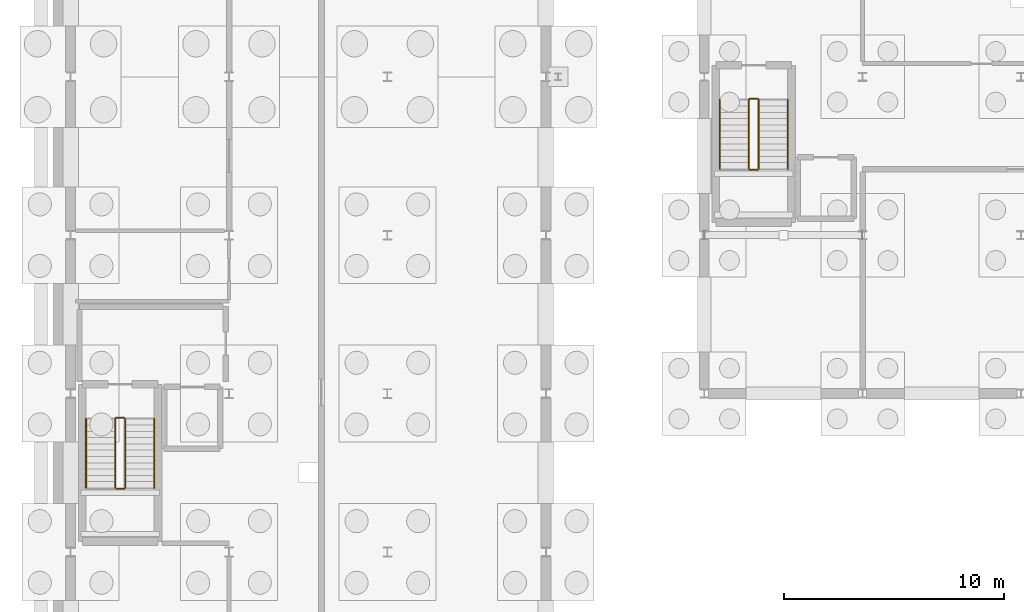
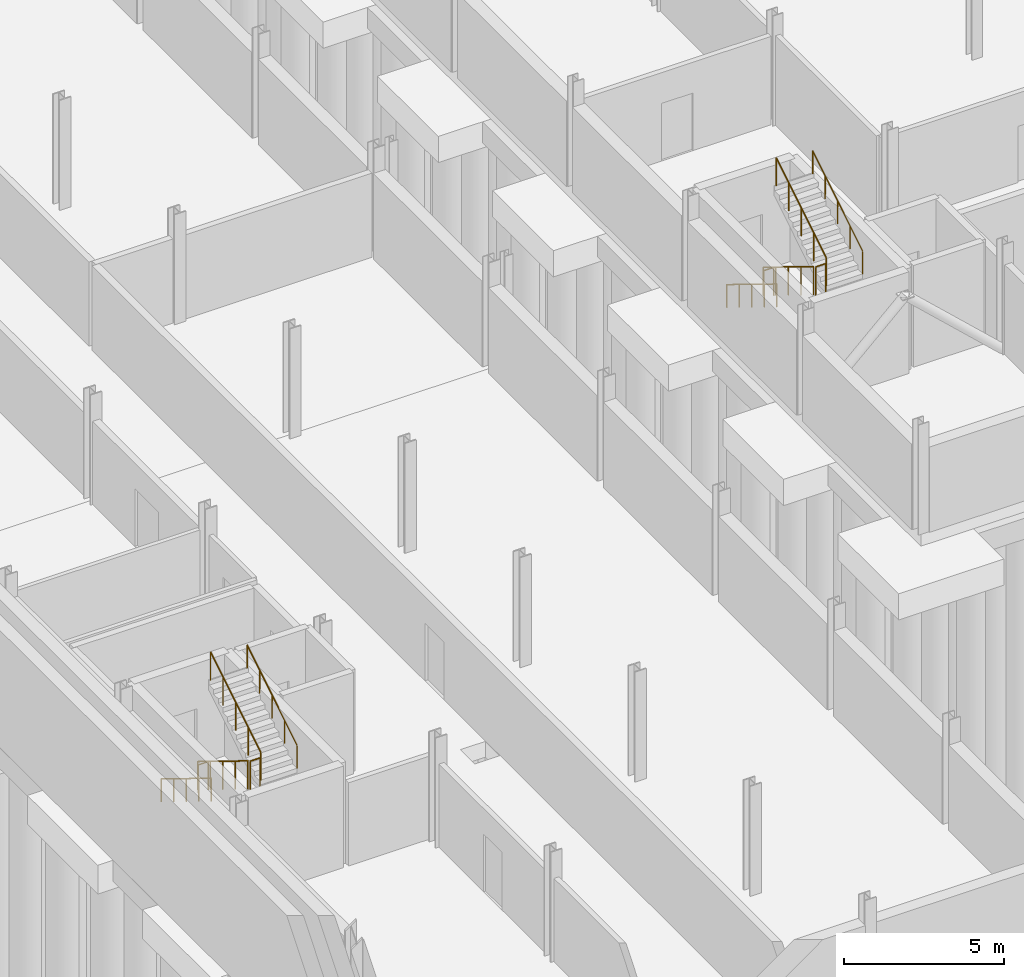
# One storey, part 44 of 50: 12 railings.
"""IFC4 building model written with IfcOpenShell, lengths in metres."""

import ifcopenshell
import ifcopenshell.guid

model = None  # the IFC model being written
_history = None  # IfcOwnerHistory: only IFC2X3 demands one
_inside = {}  # id of a spatial element -> (the spatial element, [elements in it])
_under = {}  # id of a project, library or spatial element -> (it, [spatial elements below it])
_declared = {}  # id of a project -> (the project, [libraries it declares])
_typed = {}  # id of a type object -> (the type object, [elements of that type])
_made_of = {}  # id of a material, layer set ... -> (it, [elements and type objects made of it])


def new_model(schema):
    """Start an empty IFC model of exactly this schema.

    Asked for "IFC4X3", IfcOpenShell would pick the latest addendum, in which some entities
    have other attributes; the version numbers below select the first issue.
    IFC2X3 requires an IfcOwnerHistory on every rooted entity: one is made here for all.
    """
    global model, _history
    if schema == "IFC4X3":
        model = ifcopenshell.file(schema_version=(4, 3, 0, 0))
    else:
        model = ifcopenshell.file(schema=schema)
    _inside.clear()
    _under.clear()
    _declared.clear()
    _typed.clear()
    _made_of.clear()
    _history = None
    if model.schema == "IFC2X3":
        org = make("IfcOrganization", Name="unknown")
        user = make(
            "IfcPersonAndOrganization",
            ThePerson=make("IfcPerson", FamilyName="unknown"),
            TheOrganization=org,
        )
        app = make(
            "IfcApplication",
            ApplicationDeveloper=org,
            Version="unknown",
            ApplicationFullName="unknown",
            ApplicationIdentifier="unknown",
        )
        _history = make(
            "IfcOwnerHistory",
            OwningUser=user,
            OwningApplication=app,
            ChangeAction="ADDED",
            CreationDate=0,
        )
    return model


def make(cls, **values):
    """One entity of the class cls with the attributes given. An attribute that is None is left unset."""
    return model.create_entity(
        cls, **{name: value for name, value in values.items() if value is not None}
    )


def rooted(cls, **values):
    """An entity with a GlobalId (a new one), such as an element, a storey or a relation."""
    return make(cls, GlobalId=ifcopenshell.guid.new(), OwnerHistory=_history, **values)


def si_unit(unit_type, name, prefix=None):
    """IfcSIUnit, for example si_unit("LENGTHUNIT", "METRE", prefix="MILLI")."""
    return make("IfcSIUnit", UnitType=unit_type, Prefix=prefix, Name=name)


def assignment(units):
    """IfcUnitAssignment: the units of a project."""
    return None if units is None else make("IfcUnitAssignment", Units=units)


def point(xyz):
    """IfcCartesianPoint."""
    return None if xyz is None else make("IfcCartesianPoint", Coordinates=xyz)


def direction(xyz):
    """IfcDirection."""
    return None if xyz is None else make("IfcDirection", DirectionRatios=xyz)


def frame(location, z_axis=None, x_axis=None):
    """IfcAxis2Placement3D, a coordinate frame: its origin and axes. An axis left out is left unset."""
    return make(
        "IfcAxis2Placement3D",
        Location=point(location),
        Axis=direction(z_axis),
        RefDirection=direction(x_axis),
    )


def frame_2d(location, x_axis=None):
    """IfcAxis2Placement2D, a coordinate frame in the plane: its origin and x axis."""
    return make(
        "IfcAxis2Placement2D", Location=point(location), RefDirection=direction(x_axis)
    )


def origin():
    """The frame at (0, 0, 0) with its axes left unset."""
    return frame((0.0, 0.0, 0.0))


def origin_2d():
    """The frame at (0, 0) in the plane with its x axis left unset."""
    return frame_2d((0.0, 0.0))


def place(relative_to, where):
    """IfcLocalPlacement: puts the frame where relative to a parent placement (None: the world)."""
    return make(
        "IfcLocalPlacement", PlacementRelTo=relative_to, RelativePlacement=where
    )


def context(
    kind, dimensions, precision=None, world=None, true_north=None, identifier=None
):
    """IfcGeometricRepresentationContext, for example the 3D "Model" context."""
    return make(
        "IfcGeometricRepresentationContext",
        ContextIdentifier=identifier,
        ContextType=kind,
        CoordinateSpaceDimension=dimensions,
        Precision=precision,
        WorldCoordinateSystem=world,
        TrueNorth=true_north,
    )


def subcontext(parent, identifier, kind, view, scale=None):
    """IfcGeometricRepresentationSubContext, for example "Body" below "Model"."""
    return make(
        "IfcGeometricRepresentationSubContext",
        ContextIdentifier=identifier,
        ContextType=kind,
        ParentContext=parent,
        TargetScale=scale,
        TargetView=view,
    )


def project(units=None, contexts=None):
    """IfcProject with its units and contexts."""
    return rooted(
        "IfcProject",
        Name="project",
        RepresentationContexts=contexts,
        UnitsInContext=assignment(units),
    )


def spatial(cls, under=None, at=None, **own):
    """A site, building, storey or space (cls), placed at a placement, below another one or the project."""
    s = rooted(cls, ObjectPlacement=at, **own)
    if under is not None:
        _under.setdefault(under.id(), (under, []))[1].append(s)
    return s


def profile(cls, at=None, kind="AREA", **sizes):
    """A parametric profile (cls). Its sizes go by their IFC names, for example OverallWidth=200.0."""
    return make(cls, ProfileType=kind, Position=at, **sizes)


def circle(**sizes):
    """IfcCircleProfileDef."""
    return profile("IfcCircleProfileDef", **sizes)


def extrude(swept, where, along, depth):
    """IfcExtrudedAreaSolid: the profile swept, set in the frame where, extruded along a direction by depth."""
    return make(
        "IfcExtrudedAreaSolid",
        SweptArea=swept,
        Position=where,
        ExtrudedDirection=direction(along),
        Depth=depth,
    )


def shape(context_of_items, identifier, shape_type, items):
    """IfcShapeRepresentation: the items that make up one representation, for example the "Body"."""
    return make(
        "IfcShapeRepresentation",
        ContextOfItems=context_of_items,
        RepresentationIdentifier=identifier,
        RepresentationType=shape_type,
        Items=items,
    )


def material(Name=None, Category=None):
    """IfcMaterial."""
    return make("IfcMaterial", Name=Name, Category=Category)


def layer(
    of_material, thickness, ventilated=None, Name=None, Category=None, Priority=None
):
    """IfcMaterialLayer: one layer of a wall or slab, of a material (None: an air gap)."""
    return make(
        "IfcMaterialLayer",
        Material=of_material,
        LayerThickness=thickness,
        IsVentilated=ventilated,
        Name=Name,
        Category=Category,
        Priority=Priority,
    )


def layer_set(layers, Name=None):
    """IfcMaterialLayerSet."""
    return make("IfcMaterialLayerSet", MaterialLayers=layers, LayerSetName=Name)


def made_of(thing, what):
    """Note that an element or type object is made of a material, layer set ...; save() writes the relation."""
    if what is not None:
        _made_of.setdefault(what.id(), (what, []))[1].append(thing)
    return thing


def type_object(cls, material=None, **own):
    """A type object (cls), such as IfcWallType, which elements share."""
    return made_of(rooted(cls, **own), material)


def element(
    cls,
    number,
    at=None,
    inside=None,
    cuts=None,
    type_object=None,
    material=None,
    context=None,
    identifier="Body",
    shape_type=None,
    held_by="IfcProductDefinitionShape",
    body=None,
    shapes=None,
    **own,
):
    """One element of the class cls, such as IfcWall. Its Tag is "e" and its number.

    at: its placement. inside: the storey or other place that contains it. cuts: it is an
    opening in that element (IfcRelVoidsElement). A single representation is given by context,
    identifier, shape_type and body (its items); several are given by shapes. held_by: the class
    of the entity that holds the representations. save() writes the other relations.
    """
    e = rooted(cls, Tag="e%d" % number, ObjectPlacement=at, **own)
    if body is not None:
        shapes = [shape(context, identifier, shape_type, body)]
    if shapes is not None:
        e.Representation = make(held_by, Representations=shapes)
    if inside is not None:
        _inside.setdefault(inside.id(), (inside, []))[1].append(e)
    if cuts is not None:
        rooted(
            "IfcRelVoidsElement", RelatingBuildingElement=cuts, RelatedOpeningElement=e
        )
    if type_object is not None:
        _typed.setdefault(type_object.id(), (type_object, []))[1].append(e)
    return made_of(e, material)


def aggregate(whole, parts):
    """IfcRelAggregates: a whole, such as a stair, and the parts it consists of."""
    return rooted("IfcRelAggregates", RelatingObject=whole, RelatedObjects=parts)


def save(model, path):
    """Write the relations noted so far, then the file.

    IfcRelAggregates (storeys below a building ...), IfcRelContainedInSpatialStructure (elements
    in a storey), IfcRelDefinesByType, IfcRelAssociatesMaterial and IfcRelDeclares: one each for
    every whole, place, type object, material and project.
    """
    for whole, parts in _under.values():
        aggregate(whole, parts)
    for where, things in _inside.values():
        rooted(
            "IfcRelContainedInSpatialStructure",
            RelatedElements=things,
            RelatingStructure=where,
        )
    for kind, things in _typed.values():
        rooted("IfcRelDefinesByType", RelatedObjects=things, RelatingType=kind)
    for what, things in _made_of.values():
        rooted("IfcRelAssociatesMaterial", RelatedObjects=things, RelatingMaterial=what)
    for by, libraries in _declared.values():
        rooted("IfcRelDeclares", RelatingContext=by, RelatedDefinitions=libraries)
    model.write(path)


model = new_model("IFC4")

# Units and contexts
model_context = context("Model", 3, precision=1e-05, world=origin(), true_north=direction((0.0, 1.0)))
body_context = subcontext(model_context, "Body", "Model", "MODEL_VIEW")
ifc_project = project(units=[si_unit("LENGTHUNIT", "METRE"), si_unit("AREAUNIT", "SQUARE_METRE"), si_unit("VOLUMEUNIT", "CUBIC_METRE"), si_unit("PLANEANGLEUNIT", "RADIAN"), si_unit("MASSUNIT", "GRAM", prefix="KILO")], contexts=[model_context])

# Site, building, storey
site_placement = place(None, origin())
site = spatial("IfcSite", under=ifc_project, at=site_placement, CompositionType="ELEMENT")
building_placement = place(site_placement, origin())
building = spatial("IfcBuilding", under=site, at=building_placement, Name="Narikvali Park Central Library", CompositionType="ELEMENT")
storey_placement = place(building_placement, frame((0.0, 0.0, -4.199951171875)))
storey = spatial("IfcBuildingStorey", under=building, at=storey_placement, Name="B1", CompositionType="ELEMENT", Elevation=-4.199951171875)

# Railings
ifc_material_1 = material(Name="Brushed Stainless Steel S355", Category="steel")
ifc_layer_1 = layer(ifc_material_1, 0.044921875, Name="Brushed Stainless Steel S355")
ifc_layer_set_1 = layer_set([ifc_layer_1], Name="Brushed Stainless Steel S355")
railing_type_1 = type_object("IfcRailingType", Name="Stair Tubular Steel Handrail 900", PredefinedType="HANDRAIL", material=ifc_layer_set_1)
railing_1_placement = place(storey_placement, frame((29.5, 63.75, 0.175048828125)))
element("IfcRailing", 1, at=railing_1_placement, inside=storey, type_object=railing_type_1, Name="B1 ST-07 stair handrail 1", PredefinedType="HANDRAIL", context=body_context, shape_type="SweptSolid", body=[
    extrude(circle(Radius=0.02392578125, at=origin_2d()), frame((0.0, 0.0, 0.8759765625), z_axis=(0.0, -0.852195625947, 0.523223293744), x_axis=(1.0, 0.0, 0.0)), (0.0, 0.0, 1.0), 3.6787109375),
    extrude(circle(Radius=0.02099609375, at=origin_2d()), origin(), (0.0, 0.0, 1.0), 0.851806640625),
    extrude(circle(Radius=0.02099609375, at=origin_2d()), frame((0.0, -0.78369140625, 0.481201171875)), (0.0, 0.0, 1.0), 0.851806640625),
    extrude(circle(Radius=0.02099609375, at=origin_2d()), frame((0.0, -1.5673828125, 0.96240234375)), (0.0, 0.0, 1.0), 0.851806640625),
    extrude(circle(Radius=0.02099609375, at=origin_2d()), frame((0.0, -2.351318359375, 1.443603515625)), (0.0, 0.0, 1.0), 0.851806640625),
    extrude(circle(Radius=0.02099609375, at=origin_2d()), frame((0.0, -3.135009765625, 1.9248046875)), (0.0, 0.0, 1.0), 0.851806640625),
])
railing_2_placement = place(storey_placement, frame((32.60009765625, 60.614990234375, 2.27490234375)))
element("IfcRailing", 2, at=railing_2_placement, inside=storey, type_object=railing_type_1, Name="B1 ST-07 stair handrail 2", PredefinedType="HANDRAIL", context=body_context, shape_type="SweptSolid", body=[
    extrude(circle(Radius=0.02392578125, at=origin_2d()), frame((0.0, 0.0, 0.8759765625), z_axis=(0.0, 0.852166034122, 0.523271488128), x_axis=(-1.0, 0.0, 0.0)), (0.0, 0.0, 1.0), 3.678955078125),
    extrude(circle(Radius=0.02099609375, at=origin_2d()), origin(), (0.0, 0.0, 1.0), 0.851806640625),
    extrude(circle(Radius=0.02099609375, at=origin_2d()), frame((0.0, 0.78369140625, 0.481201171875)), (0.0, 0.0, 1.0), 0.851806640625),
    extrude(circle(Radius=0.02099609375, at=origin_2d()), frame((0.0, 1.5673828125, 0.96240234375)), (0.0, 0.0, 1.0), 0.851806640625),
    extrude(circle(Radius=0.02099609375, at=origin_2d()), frame((0.0, 2.351318359375, 1.44384765625)), (0.0, 0.0, 1.0), 0.851806640625),
    extrude(circle(Radius=0.02099609375, at=origin_2d()), frame((0.0, 3.135009765625, 1.925048828125)), (0.0, 0.0, 1.0), 0.851806640625),
])
railing_3_placement = place(storey_placement, frame((0.699951171875, 49.25, 0.175048828125)))
element("IfcRailing", 3, at=railing_3_placement, inside=storey, type_object=railing_type_1, Name="B1 ST-09 stair handrail 1", PredefinedType="HANDRAIL", context=body_context, shape_type="SweptSolid", body=[
    extrude(circle(Radius=0.02392578125, at=origin_2d()), frame((0.0, 0.0, 0.8759765625), z_axis=(0.0, -0.852195625947, 0.523223293744), x_axis=(1.0, 0.0, 0.0)), (0.0, 0.0, 1.0), 3.6787109375),
    extrude(circle(Radius=0.02099609375, at=origin_2d()), origin(), (0.0, 0.0, 1.0), 0.851806640625),
    extrude(circle(Radius=0.02099609375, at=origin_2d()), frame((0.0, -0.78369140625, 0.481201171875)), (0.0, 0.0, 1.0), 0.851806640625),
    extrude(circle(Radius=0.02099609375, at=origin_2d()), frame((0.0, -1.5673828125, 0.96240234375)), (0.0, 0.0, 1.0), 0.851806640625),
    extrude(circle(Radius=0.02099609375, at=origin_2d()), frame((0.0, -2.351318359375, 1.443603515625)), (0.0, 0.0, 1.0), 0.851806640625),
    extrude(circle(Radius=0.02099609375, at=origin_2d()), frame((0.0, -3.135009765625, 1.9248046875)), (0.0, 0.0, 1.0), 0.851806640625),
])
railing_4_placement = place(storey_placement, frame((3.800048828125, 46.114990234375, 2.27490234375)))
element("IfcRailing", 4, at=railing_4_placement, inside=storey, type_object=railing_type_1, Name="B1 ST-09 stair handrail 2", PredefinedType="HANDRAIL", context=body_context, shape_type="SweptSolid", body=[
    extrude(circle(Radius=0.02392578125, at=origin_2d()), frame((0.0, 0.0, 0.8759765625), z_axis=(0.0, 0.852166034122, 0.523271488128), x_axis=(-1.0, 0.0, 0.0)), (0.0, 0.0, 1.0), 3.678955078125),
    extrude(circle(Radius=0.02099609375, at=origin_2d()), origin(), (0.0, 0.0, 1.0), 0.851806640625),
    extrude(circle(Radius=0.02099609375, at=origin_2d()), frame((0.0, 0.78369140625, 0.481201171875)), (0.0, 0.0, 1.0), 0.851806640625),
    extrude(circle(Radius=0.02099609375, at=origin_2d()), frame((0.0, 1.5673828125, 0.96240234375)), (0.0, 0.0, 1.0), 0.851806640625),
    extrude(circle(Radius=0.02099609375, at=origin_2d()), frame((0.0, 2.351318359375, 1.44384765625)), (0.0, 0.0, 1.0), 0.851806640625),
    extrude(circle(Radius=0.02099609375, at=origin_2d()), frame((0.0, 3.135009765625, 1.925048828125)), (0.0, 0.0, 1.0), 0.851806640625),
])
ifc_material_2 = material(Name="Powder-Coated Steel S275", Category="steel")
ifc_layer_2 = layer(ifc_material_2, 0.050048828125, Name="Powder-Coated Steel S275")
ifc_layer_set_2 = layer_set([ifc_layer_2], Name="Powder-Coated Steel S275")
railing_type_2 = type_object("IfcRailingType", Name="Stair Well Steel Guardrail 1100", PredefinedType="GUARDRAIL", material=ifc_layer_set_2)
railing_5_placement = place(storey_placement, frame((30.820068359375, 63.75, 0.175048828125)))
element("IfcRailing", 5, at=railing_5_placement, inside=storey, type_object=railing_type_2, Name="B1 ST-07 stair guard 1", PredefinedType="GUARDRAIL", context=body_context, shape_type="SweptSolid", body=[
    extrude(circle(Radius=0.02392578125, at=origin_2d()), frame((0.0, 0.0, 1.076171875), z_axis=(0.0, -0.852195625947, 0.523223293744), x_axis=(1.0, 0.0, 0.0)), (0.0, 0.0, 1.0), 3.6787109375),
    extrude(circle(Radius=0.02099609375, at=origin_2d()), origin(), (0.0, 0.0, 1.0), 1.052001953125),
    extrude(circle(Radius=0.02099609375, at=origin_2d()), frame((0.0, -0.78369140625, 0.481201171875)), (0.0, 0.0, 1.0), 1.052001953125),
    extrude(circle(Radius=0.02099609375, at=origin_2d()), frame((0.0, -1.5673828125, 0.96240234375)), (0.0, 0.0, 1.0), 1.052001953125),
    extrude(circle(Radius=0.02099609375, at=origin_2d()), frame((0.0, -2.351318359375, 1.443603515625)), (0.0, 0.0, 1.0), 1.052001953125),
    extrude(circle(Radius=0.02099609375, at=origin_2d()), frame((0.0, -3.135009765625, 1.9248046875)), (0.0, 0.0, 1.0), 1.052001953125),
])
railing_6_placement = place(storey_placement, frame((30.8701171875, 60.56494140625, 2.099853515625)))
element("IfcRailing", 6, at=railing_6_placement, inside=storey, type_object=railing_type_2, Name="B1 ST-07 stair guard 2", PredefinedType="GUARDRAIL", context=body_context, shape_type="SweptSolid", body=[
    extrude(circle(Radius=0.02392578125, at=origin_2d()), frame((0.0, 0.0, 1.076171875), z_axis=(1.0, 0.0, 0.0), x_axis=(0.0, 1.0, 0.0)), (0.0, 0.0, 1.0), 0.35986328125),
    extrude(circle(Radius=0.02099609375, at=origin_2d()), origin(), (0.0, 0.0, 1.0), 1.052001953125),
    extrude(circle(Radius=0.02099609375, at=origin_2d()), frame((0.35986328125, 0.0, 0.0)), (0.0, 0.0, 1.0), 1.052001953125),
])
railing_7_placement = place(storey_placement, frame((31.280029296875, 60.614990234375, 2.27490234375)))
element("IfcRailing", 7, at=railing_7_placement, inside=storey, type_object=railing_type_2, Name="B1 ST-07 stair guard 3", PredefinedType="GUARDRAIL", context=body_context, shape_type="SweptSolid", body=[
    extrude(circle(Radius=0.02392578125, at=origin_2d()), frame((0.0, 0.0, 1.076171875), z_axis=(0.0, 0.852166034122, 0.523271488128), x_axis=(-1.0, 0.0, 0.0)), (0.0, 0.0, 1.0), 3.678955078125),
    extrude(circle(Radius=0.02099609375, at=origin_2d()), origin(), (0.0, 0.0, 1.0), 1.052001953125),
    extrude(circle(Radius=0.02099609375, at=origin_2d()), frame((0.0, 0.78369140625, 0.481201171875)), (0.0, 0.0, 1.0), 1.052001953125),
    extrude(circle(Radius=0.02099609375, at=origin_2d()), frame((0.0, 1.5673828125, 0.96240234375)), (0.0, 0.0, 1.0), 1.052001953125),
    extrude(circle(Radius=0.02099609375, at=origin_2d()), frame((0.0, 2.351318359375, 1.44384765625)), (0.0, 0.0, 1.0), 1.052001953125),
    extrude(circle(Radius=0.02099609375, at=origin_2d()), frame((0.0, 3.135009765625, 1.925048828125)), (0.0, 0.0, 1.0), 1.052001953125),
])
railing_8_placement = place(storey_placement, frame((30.8701171875, 63.800048828125, 0.0)))
element("IfcRailing", 8, at=railing_8_placement, inside=storey, type_object=railing_type_2, Name="B1 ST-07 stair guard 4", PredefinedType="GUARDRAIL", context=body_context, shape_type="SweptSolid", body=[
    extrude(circle(Radius=0.02392578125, at=origin_2d()), frame((0.0, 0.0, 1.076171875), z_axis=(1.0, 0.0, 0.0), x_axis=(0.0, 1.0, 0.0)), (0.0, 0.0, 1.0), 0.35986328125),
    extrude(circle(Radius=0.02099609375, at=origin_2d()), origin(), (0.0, 0.0, 1.0), 1.052001953125),
    extrude(circle(Radius=0.02099609375, at=origin_2d()), frame((0.35986328125, 0.0, 0.0)), (0.0, 0.0, 1.0), 1.052001953125),
])
railing_9_placement = place(storey_placement, frame((2.02001953125, 49.25, 0.175048828125)))
element("IfcRailing", 9, at=railing_9_placement, inside=storey, type_object=railing_type_2, Name="B1 ST-09 stair guard 1", PredefinedType="GUARDRAIL", context=body_context, shape_type="SweptSolid", body=[
    extrude(circle(Radius=0.02392578125, at=origin_2d()), frame((0.0, 0.0, 1.076171875), z_axis=(0.0, -0.852195625947, 0.523223293744), x_axis=(1.0, 0.0, 0.0)), (0.0, 0.0, 1.0), 3.6787109375),
    extrude(circle(Radius=0.02099609375, at=origin_2d()), origin(), (0.0, 0.0, 1.0), 1.052001953125),
    extrude(circle(Radius=0.02099609375, at=origin_2d()), frame((0.0, -0.78369140625, 0.481201171875)), (0.0, 0.0, 1.0), 1.052001953125),
    extrude(circle(Radius=0.02099609375, at=origin_2d()), frame((0.0, -1.5673828125, 0.96240234375)), (0.0, 0.0, 1.0), 1.052001953125),
    extrude(circle(Radius=0.02099609375, at=origin_2d()), frame((0.0, -2.351318359375, 1.443603515625)), (0.0, 0.0, 1.0), 1.052001953125),
    extrude(circle(Radius=0.02099609375, at=origin_2d()), frame((0.0, -3.135009765625, 1.9248046875)), (0.0, 0.0, 1.0), 1.052001953125),
])
railing_10_placement = place(storey_placement, frame((2.070068359375, 46.06494140625, 2.099853515625)))
element("IfcRailing", 10, at=railing_10_placement, inside=storey, type_object=railing_type_2, Name="B1 ST-09 stair guard 2", PredefinedType="GUARDRAIL", context=body_context, shape_type="SweptSolid", body=[
    extrude(circle(Radius=0.02392578125, at=origin_2d()), frame((0.0, 0.0, 1.076171875), z_axis=(1.0, 0.0, 0.0), x_axis=(0.0, 1.0, 0.0)), (0.0, 0.0, 1.0), 0.35986328125),
    extrude(circle(Radius=0.02099609375, at=origin_2d()), origin(), (0.0, 0.0, 1.0), 1.052001953125),
    extrude(circle(Radius=0.02099609375, at=origin_2d()), frame((0.35986328125, 0.0, 0.0)), (0.0, 0.0, 1.0), 1.052001953125),
])
railing_11_placement = place(storey_placement, frame((2.47998046875, 46.114990234375, 2.27490234375)))
element("IfcRailing", 11, at=railing_11_placement, inside=storey, type_object=railing_type_2, Name="B1 ST-09 stair guard 3", PredefinedType="GUARDRAIL", context=body_context, shape_type="SweptSolid", body=[
    extrude(circle(Radius=0.02392578125, at=origin_2d()), frame((0.0, 0.0, 1.076171875), z_axis=(0.0, 0.852166034122, 0.523271488128), x_axis=(-1.0, 0.0, 0.0)), (0.0, 0.0, 1.0), 3.678955078125),
    extrude(circle(Radius=0.02099609375, at=origin_2d()), origin(), (0.0, 0.0, 1.0), 1.052001953125),
    extrude(circle(Radius=0.02099609375, at=origin_2d()), frame((0.0, 0.78369140625, 0.481201171875)), (0.0, 0.0, 1.0), 1.052001953125),
    extrude(circle(Radius=0.02099609375, at=origin_2d()), frame((0.0, 1.5673828125, 0.96240234375)), (0.0, 0.0, 1.0), 1.052001953125),
    extrude(circle(Radius=0.02099609375, at=origin_2d()), frame((0.0, 2.351318359375, 1.44384765625)), (0.0, 0.0, 1.0), 1.052001953125),
    extrude(circle(Radius=0.02099609375, at=origin_2d()), frame((0.0, 3.135009765625, 1.925048828125)), (0.0, 0.0, 1.0), 1.052001953125),
])
railing_12_placement = place(storey_placement, frame((2.070068359375, 49.300048828125, 0.0)))
element("IfcRailing", 12, at=railing_12_placement, inside=storey, type_object=railing_type_2, Name="B1 ST-09 stair guard 4", PredefinedType="GUARDRAIL", context=body_context, shape_type="SweptSolid", body=[
    extrude(circle(Radius=0.02392578125, at=origin_2d()), frame((0.0, 0.0, 1.076171875), z_axis=(1.0, 0.0, 0.0), x_axis=(0.0, 1.0, 0.0)), (0.0, 0.0, 1.0), 0.35986328125),
    extrude(circle(Radius=0.02099609375, at=origin_2d()), origin(), (0.0, 0.0, 1.0), 1.052001953125),
    extrude(circle(Radius=0.02099609375, at=origin_2d()), frame((0.35986328125, 0.0, 0.0)), (0.0, 0.0, 1.0), 1.052001953125),
])

save(model, "model.ifc")
